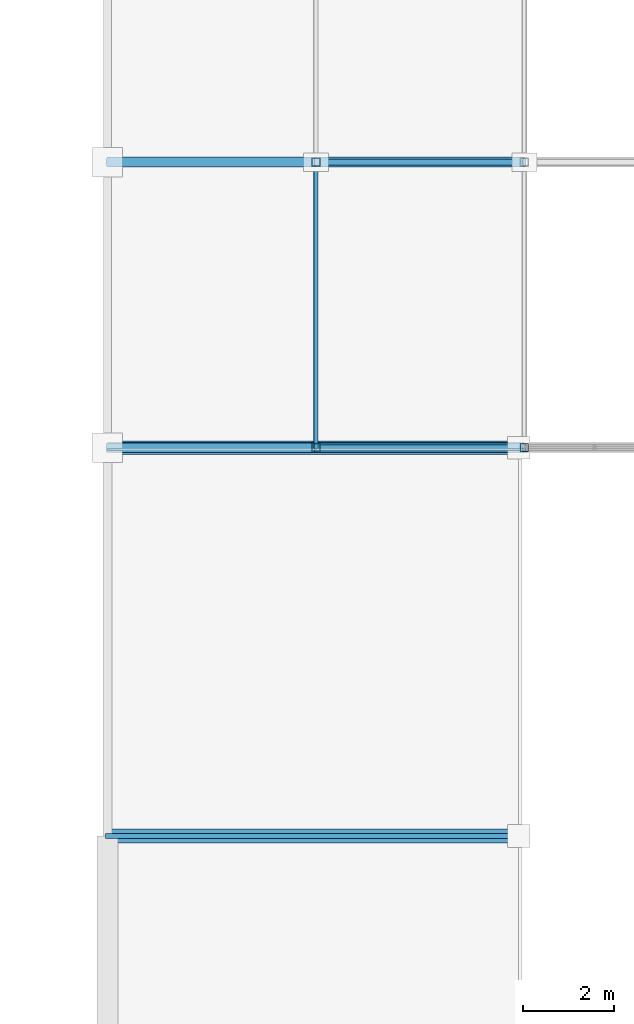
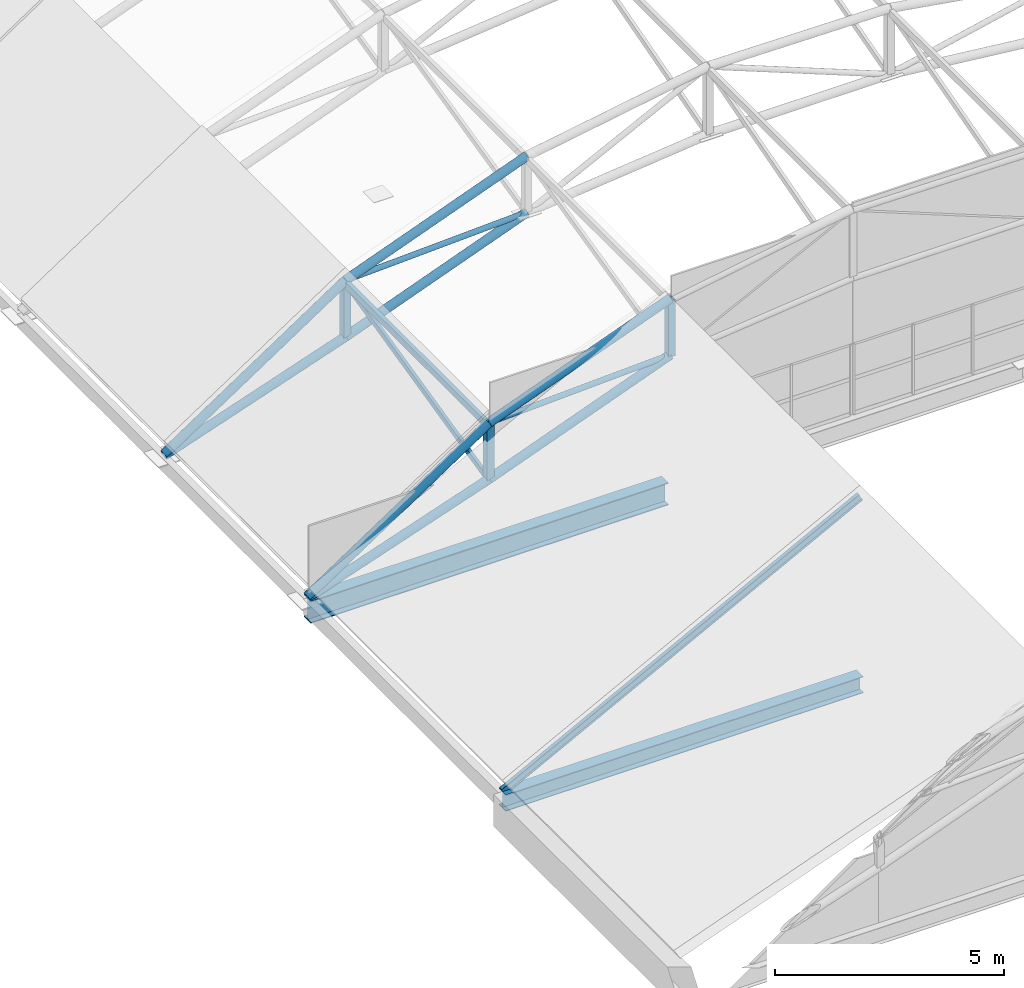
# One storey, part 59 of 101: 16 members, 2 beams.
"""IFC4 building model written with IfcOpenShell, lengths in metres."""

from ifc_helpers import new_model, si_unit, direction, frame, origin, origin_2d, place, context, subcontext, project, spatial, hollow_rectangle, hollow_circle, i_section, extrude, material, material_profile, profile_set, type_object, element, save


model = new_model("IFC4")

# Units and contexts
model_context = context("Model", 3, precision=1e-05, world=origin(), true_north=direction((0.0, 1.0)))
body_context = subcontext(model_context, "Body", "Model", "MODEL_VIEW")
ifc_project = project(units=[si_unit("LENGTHUNIT", "METRE"), si_unit("AREAUNIT", "SQUARE_METRE"), si_unit("VOLUMEUNIT", "CUBIC_METRE"), si_unit("PLANEANGLEUNIT", "RADIAN"), si_unit("MASSUNIT", "GRAM", prefix="KILO")], contexts=[model_context])

# Site, building, storey
site_placement = place(None, origin())
site = spatial("IfcSite", under=ifc_project, at=site_placement, CompositionType="ELEMENT")
building_placement = place(site_placement, origin())
building = spatial("IfcBuilding", under=site, at=building_placement, Name="Solvikara Media Centre", CompositionType="ELEMENT")
storey_placement = place(building_placement, frame((0.0, 0.0, 10.199951171875)))
storey = spatial("IfcBuildingStorey", under=building, at=storey_placement, Name="L02", CompositionType="ELEMENT", Elevation=10.199951171875)

# Beams
ifc_material = material(Name="Steel S355JR", Category="steel")
ifc_material_profile_1 = material_profile(ifc_material, i_section(OverallWidth=0.300048828125, OverallDepth=0.43994140625, WebThickness=0.010986328125, FlangeThickness=0.01806640625, at=origin_2d()), Name="H 440x300x11x18")
ifc_profile_set_1 = profile_set([ifc_material_profile_1], Name="Steel S355JR")
beam_type_1 = type_object("IfcBeamType", Name="BM-28", PredefinedType="BEAM", material=ifc_profile_set_1)
beam_1_placement = place(storey_placement, frame((127.5, 80.5, -0.320068359375), z_axis=(1.0, 0.0, 0.0), x_axis=(0.0, 1.0, 0.0)))
element("IfcBeam", 1, at=beam_1_placement, inside=storey, type_object=beam_type_1, Name="BSW-TIE-01", PredefinedType="BEAM", context=body_context, shape_type="SweptSolid", body=[
    extrude(i_section(OverallWidth=0.300048828125, OverallDepth=0.43994140625, WebThickness=0.010986328125, FlangeThickness=0.01806640625, at=origin_2d()), origin(), (0.0, 0.0, 1.0), 9.0),
])
ifc_material_profile_2 = material_profile(ifc_material, i_section(OverallWidth=0.302001953125, OverallDepth=0.593994140625, WebThickness=0.013916015625, FlangeThickness=0.02294921875, at=origin_2d()), Name="H 594x302x14x23")
ifc_profile_set_2 = profile_set([ifc_material_profile_2], Name="Steel S355JR")
beam_type_2 = type_object("IfcBeamType", Name="BM-41", PredefinedType="BEAM", material=ifc_profile_set_2)
beam_2_placement = place(storey_placement, frame((127.5, 89.0, -0.39697265625), z_axis=(1.0, 0.0, 0.0), x_axis=(0.0, 1.0, 0.0)))
element("IfcBeam", 2, at=beam_2_placement, inside=storey, type_object=beam_type_2, Name="B-L02-X0893", PredefinedType="BEAM", context=body_context, shape_type="SweptSolid", body=[
    extrude(i_section(OverallWidth=0.302001953125, OverallDepth=0.593994140625, WebThickness=0.013916015625, FlangeThickness=0.02294921875, at=origin_2d()), origin(), (0.0, 0.0, 1.0), 9.0),
])

# Members
ifc_material_profile_3 = material_profile(ifc_material, hollow_circle(Radius=0.109619140625, WallThickness=0.008056640625, at=origin_2d()), Name="CHS 219.1x8")
ifc_profile_set_3 = profile_set([ifc_material_profile_3], Name="Steel S355JR")
member_type_1 = type_object("IfcMemberType", Name="MB-05", PredefinedType="CHORD", material=ifc_profile_set_3)
member_1_placement = place(storey_placement, frame((127.5, 89.0, -0.06787109375), z_axis=(0.83335162007, 0.0, 0.55274322911), x_axis=(0.0, 1.0, 0.0)))
element("IfcMember", 3, at=member_1_placement, inside=storey, type_object=member_type_1, Name="BSB-TC-00-00", PredefinedType="CHORD", context=body_context, shape_type="SweptSolid", body=[
    extrude(hollow_circle(Radius=0.109619140625, WallThickness=0.008056640625, at=origin_2d()), origin(), (0.0, 0.0, 1.0), 5.474365234375),
])
member_2_placement = place(storey_placement, frame((127.5, 89.0, -0.099853515625), z_axis=(0.946343434254, 0.0, 0.323162659423), x_axis=(0.0, 1.0, 0.0)))
element("IfcMember", 4, at=member_2_placement, inside=storey, type_object=member_type_1, Name="BSB-BC-00-00", PredefinedType="CHORD", context=body_context, shape_type="SweptSolid", body=[
    extrude(hollow_circle(Radius=0.109619140625, WallThickness=0.008056640625, at=origin_2d()), origin(), (0.0, 0.0, 1.0), 4.820556640625),
])
for number, where, z_axis, x_axis, name in (
    (5, (132.06201171875, 89.0, 2.9580078125), (0.936407395887, 0.0, 0.350914788699), (0.0, 1.0, 0.0), "BSB-TC-00-01"),
    (6, (132.06201171875, 89.0, 1.4580078125), (0.936407395887, 0.0, 0.350914788699), (0.0, 1.0, 0.0), "BSB-BC-00-01"),
):
    element("IfcMember", number, at=place(storey_placement, frame(where, z_axis=z_axis, x_axis=x_axis)), inside=storey, type_object=member_type_1, Name=name, PredefinedType="CHORD", context=body_context, shape_type="SweptSolid", body=[
        extrude(hollow_circle(Radius=0.109619140625, WallThickness=0.008056640625, at=origin_2d()), origin(), (0.0, 0.0, 1.0), 4.872802734375),
    ])
member_3_placement = place(storey_placement, frame((127.5, 95.25, -0.06787109375), z_axis=(0.83335162007, 0.0, 0.55274322911), x_axis=(0.0, 1.0, 0.0)))
element("IfcMember", 7, at=member_3_placement, inside=storey, type_object=member_type_1, Name="BSB-TC-01-00", PredefinedType="CHORD", context=body_context, shape_type="SweptSolid", body=[
    extrude(hollow_circle(Radius=0.109619140625, WallThickness=0.008056640625, at=origin_2d()), origin(), (0.0, 0.0, 1.0), 5.474365234375),
])
member_4_placement = place(storey_placement, frame((127.5, 95.25, -0.099853515625), z_axis=(0.946343434254, 0.0, 0.323162659423), x_axis=(0.0, 1.0, 0.0)))
element("IfcMember", 8, at=member_4_placement, inside=storey, type_object=member_type_1, Name="BSB-BC-01-00", PredefinedType="CHORD", context=body_context, shape_type="SweptSolid", body=[
    extrude(hollow_circle(Radius=0.109619140625, WallThickness=0.008056640625, at=origin_2d()), origin(), (0.0, 0.0, 1.0), 4.820556640625),
])
for number, where, z_axis, x_axis, name in (
    (9, (132.06201171875, 95.25, 2.9580078125), (0.936407395887, 0.0, 0.350914788699), (0.0, 1.0, 0.0), "BSB-TC-01-01"),
    (10, (132.06201171875, 95.25, 1.4580078125), (0.936407395887, 0.0, 0.350914788699), (0.0, 1.0, 0.0), "BSB-BC-01-01"),
):
    element("IfcMember", number, at=place(storey_placement, frame(where, z_axis=z_axis, x_axis=x_axis)), inside=storey, type_object=member_type_1, Name=name, PredefinedType="CHORD", context=body_context, shape_type="SweptSolid", body=[
        extrude(hollow_circle(Radius=0.109619140625, WallThickness=0.008056640625, at=origin_2d()), origin(), (0.0, 0.0, 1.0), 4.872802734375),
    ])
ifc_material_profile_4 = material_profile(ifc_material, hollow_circle(Radius=0.06982421875, WallThickness=0.00634765625, at=origin_2d()), Name="CHS 139.7x6.3")
ifc_profile_set_4 = profile_set([ifc_material_profile_4], Name="Steel S355JR")
member_type_2 = type_object("IfcMemberType", Name="MB-08", PredefinedType="BRACE", material=ifc_profile_set_4)
for number, where, z_axis, x_axis, name in (
    (11, (132.06201171875, 89.0, 2.9580078125), (0.998943038106, 0.0, 0.045965276232), (0.0, 1.0, 0.0), "BSB-DG-00-01"),
    (12, (132.06201171875, 95.25, 2.9580078125), (0.998943038106, 0.0, 0.045965276232), (0.0, 1.0, 0.0), "BSB-DG-01-01"),
):
    element("IfcMember", number, at=place(storey_placement, frame(where, z_axis=z_axis, x_axis=x_axis)), inside=storey, type_object=member_type_2, Name=name, PredefinedType="BRACE", context=body_context, shape_type="SweptSolid", body=[
        extrude(hollow_circle(Radius=0.06982421875, WallThickness=0.00634765625, at=origin_2d()), origin(), (0.0, 0.0, 1.0), 4.56787109375),
    ])
ifc_material_profile_5 = material_profile(ifc_material, hollow_rectangle(XDim=0.179931640625, YDim=0.179931640625, WallThickness=0.008056640625, at=origin_2d()), Name="RHS 180x180x8")
ifc_profile_set_5 = profile_set([ifc_material_profile_5], Name="Steel S355JR")
member_type_3 = type_object("IfcMemberType", Name="MB-14", PredefinedType="BRACE", material=ifc_profile_set_5)
for number, where, z_axis, x_axis, name in (
    (13, (132.06201171875, 89.0, 1.4580078125), (0.0, 0.0, 1.0), (1.0, 0.0, 0.0), "BSB-VT-00-01"),
    (14, (136.625, 89.0, 3.16796875), (0.0, 0.0, 1.0), (1.0, 0.0, 0.0), "BSB-VT-00-02"),
    (15, (132.06201171875, 95.25, 1.4580078125), (0.0, 0.0, 1.0), (1.0, 0.0, 0.0), "BSB-VT-01-01"),
):
    element("IfcMember", number, at=place(storey_placement, frame(where, z_axis=z_axis, x_axis=x_axis)), inside=storey, type_object=member_type_3, Name=name, PredefinedType="BRACE", context=body_context, shape_type="SweptSolid", body=[
        extrude(hollow_rectangle(XDim=0.179931640625, YDim=0.179931640625, WallThickness=0.008056640625, at=origin_2d()), origin(), (0.0, 0.0, 1.0), 1.5),
    ])
ifc_material_profile_6 = material_profile(ifc_material, hollow_rectangle(XDim=0.10009765625, YDim=0.179931640625, WallThickness=0.0048828125, at=origin_2d()), Name="RHS 180x100x5")
ifc_profile_set_6 = profile_set([ifc_material_profile_6], Name="Steel S355JR")
member_type_4 = type_object("IfcMemberType", Name="MB-18", PredefinedType="PURLIN", material=ifc_profile_set_6)
member_5_placement = place(storey_placement, frame((132.06201171875, 89.0, 2.89306640625), z_axis=(0.0, 1.0, 0.0), x_axis=(-1.0, 0.0, 0.0)))
element("IfcMember", 16, at=member_5_placement, inside=storey, type_object=member_type_4, Name="BSB-PRL-00-01", PredefinedType="PURLIN", context=body_context, shape_type="SweptSolid", body=[
    extrude(hollow_rectangle(XDim=0.10009765625, YDim=0.179931640625, WallThickness=0.0048828125, at=origin_2d()), origin(), (0.0, 0.0, 1.0), 6.25),
])
ifc_material_profile_7 = material_profile(ifc_material, i_section(OverallWidth=0.10009765625, OverallDepth=0.199951171875, WebThickness=0.005615234375, FlangeThickness=0.008056640625, at=origin_2d()), Name="WF 200x100x5.5x8")
ifc_profile_set_7 = profile_set([ifc_material_profile_7], Name="Steel S355JR")
member_type_5 = type_object("IfcMemberType", Name="MB-21", PredefinedType="PURLIN", material=ifc_profile_set_7)
member_6_placement = place(storey_placement, frame((127.5, 80.5, -0.094970703125), z_axis=(0.886332205831, 0.0, 0.463049911895), x_axis=(0.0, 1.0, 0.0)))
element("IfcMember", 17, at=member_6_placement, inside=storey, type_object=member_type_5, Name="BSW-PRL-01", PredefinedType="PURLIN", context=body_context, shape_type="SweptSolid", body=[
    extrude(i_section(OverallWidth=0.10009765625, OverallDepth=0.199951171875, WebThickness=0.005615234375, FlangeThickness=0.008056640625, at=origin_2d()), origin(), (0.0, 0.0, 1.0), 10.154296875),
])
ifc_material_profile_8 = material_profile(ifc_material, hollow_rectangle(XDim=0.080078125, YDim=0.14990234375, WallThickness=0.0048828125, at=origin_2d()), Name="RHS 150x80x5")
ifc_profile_set_8 = profile_set([ifc_material_profile_8], Name="Steel S355JR")
member_type_6 = type_object("IfcMemberType", Name="MB-27", PredefinedType="PURLIN", material=ifc_profile_set_8)
member_7_placement = place(storey_placement, frame((132.06201171875, 89.0, 1.4580078125), z_axis=(0.0, 0.973607860399, 0.228227373838), x_axis=(-1.0, 0.0, 0.0)))
element("IfcMember", 18, at=member_7_placement, inside=storey, type_object=member_type_6, Name="BSB-3D-00-01", PredefinedType="PURLIN", context=body_context, shape_type="SweptSolid", body=[
    extrude(hollow_rectangle(XDim=0.080078125, YDim=0.14990234375, WallThickness=0.0048828125, at=origin_2d()), origin(), (0.0, 0.0, 1.0), 6.41943359375),
])

save(model, "model.ifc")
